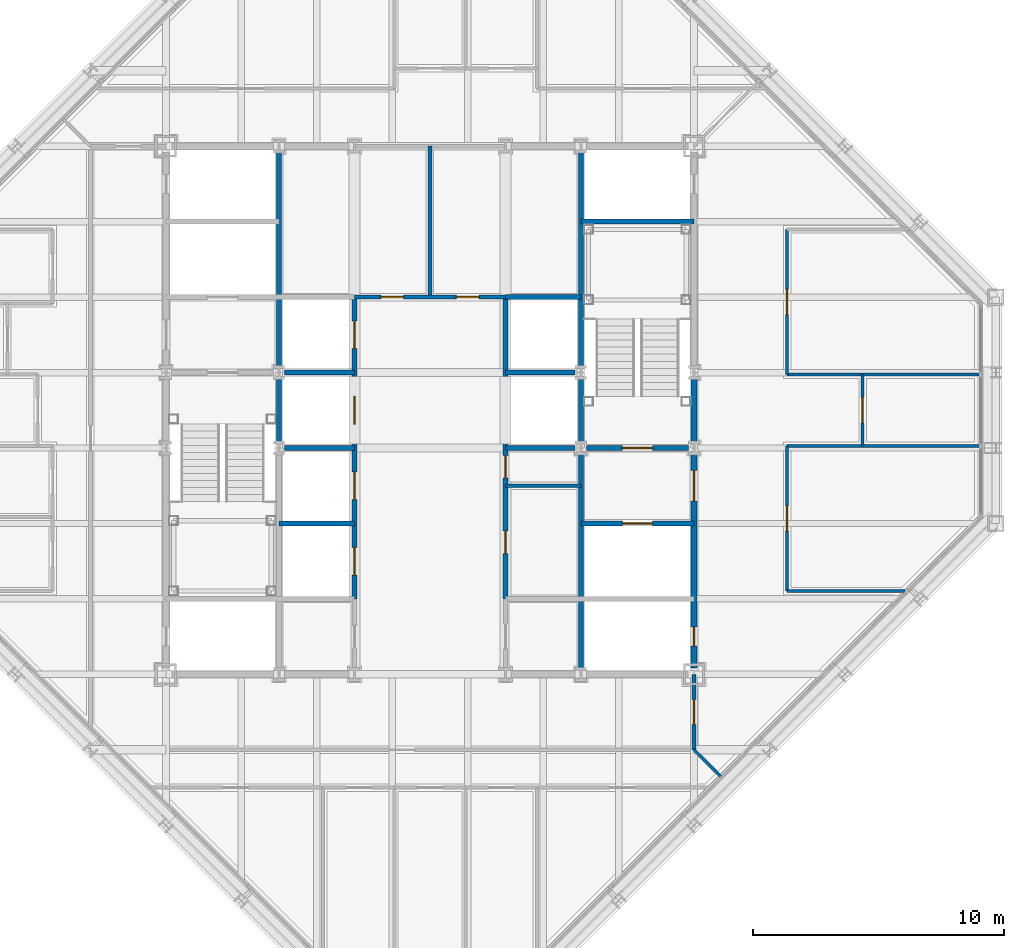
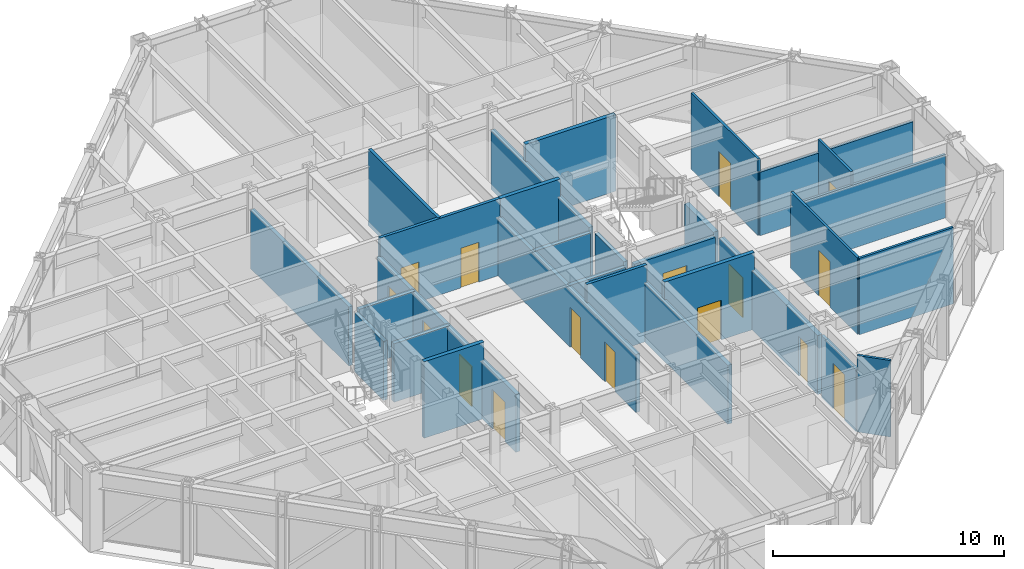
# One storey, part 11 of 15: 29 walls, 16 doors, 16 openings.
"""IFC4 building model written with IfcOpenShell, lengths in metres."""

from ifc_helpers import new_model, si_unit, direction, frame, frame_2d, origin, place, context, subcontext, project, spatial, rectangle, extrude, material, layer, layer_set, type_object, element, fill, save


model = new_model("IFC4")

# Units and contexts
model_context = context("Model", 3, precision=1e-05, world=origin(), true_north=direction((0.0, 1.0)))
body_context = subcontext(model_context, "Body", "Model", "MODEL_VIEW")
ifc_project = project(units=[si_unit("LENGTHUNIT", "METRE"), si_unit("AREAUNIT", "SQUARE_METRE"), si_unit("VOLUMEUNIT", "CUBIC_METRE"), si_unit("PLANEANGLEUNIT", "RADIAN"), si_unit("MASSUNIT", "GRAM", prefix="KILO")], contexts=[model_context])

# Site, building, storey
site_placement = place(None, origin())
site = spatial("IfcSite", under=ifc_project, at=site_placement, CompositionType="ELEMENT")
building_placement = place(site_placement, origin())
building = spatial("IfcBuilding", under=site, at=building_placement, Name="Chuquiago Exchange Tower", CompositionType="ELEMENT")
storey_placement = place(building_placement, frame((0.0, 0.0, 274.800048828125)))
storey = spatial("IfcBuildingStorey", under=building, at=storey_placement, Name="L61", CompositionType="ELEMENT", Elevation=274.800048828125)

# Wall, openings, doors
ifc_material_1 = material(Name="Concrete masonry, fully grouted", Category="masonry")
ifc_layer_1 = layer(ifc_material_1, 0.25)
ifc_layer_set_1 = layer_set([ifc_layer_1], Name="W1 core wall 250")
wall_type_1 = type_object("IfcWallType", Name="W1 core wall 250", PredefinedType="SOLIDWALL", material=ifc_layer_set_1)
wall_1_placement = place(storey_placement, frame((33.0, 12.25, 0.0), z_axis=(0.0, 0.0, 1.0), x_axis=(0.0, 1.0, 0.0)))
wall_1 = element("IfcWall", 1, at=wall_1_placement, inside=storey, type_object=wall_type_1, Name="CW-L61-25-0", PredefinedType="SOLIDWALL", context=body_context, shape_type="SweptSolid", body=[
    extrude(rectangle(XDim=8.5, YDim=0.25, at=frame_2d((4.25, 0.0))), origin(), (0.0, 0.0, 1.0), 3.11279296875),
])
opening_1_placement = place(wall_1_placement, frame((6.64990234375, 0.0, 0.0)))
opening_1 = element("IfcOpeningElement", 2, at=opening_1_placement, cuts=wall_1, Name="Opening L61-004", PredefinedType="OPENING", context=body_context, shape_type="SweptSolid", body=[
    extrude(rectangle(XDim=1.199951171875, YDim=2.10009765625, at=frame_2d((0.60009765625, 1.050048828125))), frame((0.0, 0.135009765625, 0.0), z_axis=(0.0, -1.0, 0.0), x_axis=(1.0, 0.0, 0.0)), (0.0, 0.0, 1.0), 0.27001953125),
])
opening_2_placement = place(wall_1_placement, frame((0.875, 0.0, 0.0)))
opening_2 = element("IfcOpeningElement", 3, at=opening_2_placement, cuts=wall_1, Name="Opening L61-009", PredefinedType="OPENING", context=body_context, shape_type="SweptSolid", body=[
    extrude(rectangle(XDim=0.75, YDim=2.10009765625, at=frame_2d((0.375, 1.050048828125))), frame((0.0, 0.135009765625, 0.0), z_axis=(0.0, -1.0, 0.0), x_axis=(1.0, 0.0, 0.0)), (0.0, 0.0, 1.0), 0.27001953125),
])
ifc_material_2 = material(Name="Steel door, painted", Category="steel")
door_type_1 = type_object("IfcDoorType", Name="D5 firefighting lobby door 1200x2100", OperationType="SINGLE_SWING_LEFT", PredefinedType="DOOR", material=ifc_material_2)
door_1_placement = place(opening_1_placement, origin())
door_1 = element("IfcDoor", 4, at=door_1_placement, inside=storey, type_object=door_type_1, Name="Firefighting lobby 2 door", OperationType="SINGLE_SWING_RIGHT", OverallHeight=2.10009765625, OverallWidth=1.199951171875, PredefinedType="DOOR", context=body_context, shape_type="SweptSolid", body=[
    extrude(rectangle(XDim=1.199951171875, YDim=2.10009765625, at=frame_2d((0.60009765625, 1.050048828125))), frame((0.0, 0.02490234375, 0.0), z_axis=(0.0, -1.0, 0.0), x_axis=(1.0, 0.0, 0.0)), (0.0, 0.0, 1.0), 0.050048828125),
])
fill(opening_1, door_1)
ifc_material_3 = material(Name="Steel door, painted", Category="steel")
door_type_2 = type_object("IfcDoorType", Name="D6 riser access door 750x2100", OperationType="SINGLE_SWING_LEFT", PredefinedType="DOOR", material=ifc_material_3)
door_2_placement = place(opening_2_placement, frame((0.75, 0.0, 0.0), z_axis=(0.0, 0.0, 1.0), x_axis=(-1.0, 0.0, 0.0)))
door_2 = element("IfcDoor", 5, at=door_2_placement, inside=storey, type_object=door_type_2, Name="Riser RE1 door", OperationType="SINGLE_SWING_RIGHT", OverallHeight=2.10009765625, OverallWidth=0.75, PredefinedType="DOOR", context=body_context, shape_type="SweptSolid", body=[
    extrude(rectangle(XDim=0.75, YDim=2.10009765625, at=frame_2d((0.375, 1.050048828125))), frame((0.0, 0.02490234375, 0.0), z_axis=(0.0, -1.0, 0.0), x_axis=(1.0, 0.0, 0.0)), (0.0, 0.0, 1.0), 0.050048828125),
])
fill(opening_2, door_2)

# Wall
wall_2_placement = place(storey_placement, frame((33.0, 21.25, 0.0), z_axis=(0.0, 0.0, 1.0), x_axis=(0.0, 1.0, 0.0)))
element("IfcWall", 6, at=wall_2_placement, inside=storey, type_object=wall_type_1, Name="CW-L61-25-1", PredefinedType="SOLIDWALL", context=body_context, shape_type="SweptSolid", body=[
    extrude(rectangle(XDim=2.5, YDim=0.25, at=frame_2d((1.25, 0.0))), origin(), (0.0, 0.0, 1.0), 3.11279296875),
])

# Wall, opening, door
ifc_material_4 = material(Name="Gypsum board on steel studs, acoustic insulation", Category="steel")
ifc_layer_2 = layer(ifc_material_4, 0.14990234375)
ifc_layer_set_2 = layer_set([ifc_layer_2], Name="W11 corridor wall 150")
wall_type_2 = type_object("IfcWallType", Name="W11 corridor wall 150", PredefinedType="PARTITIONING", material=ifc_layer_set_2)
wall_3_placement = place(storey_placement, frame((33.0, 9.0, 0.0), z_axis=(0.0, 0.0, 1.0), x_axis=(0.0, 1.0, 0.0)))
wall_3 = element("IfcWall", 7, at=wall_3_placement, inside=storey, type_object=wall_type_2, Name="PW-L61-GSE0", PredefinedType="PARTITIONING", context=body_context, shape_type="SweptSolid", body=[
    extrude(rectangle(XDim=3.0, YDim=0.14990234375, at=frame_2d((1.5, 0.0))), origin(), (0.0, 0.0, 1.0), 3.270263671875),
])
opening_3_placement = place(wall_3_placement, frame((1.0, 0.0, 0.0)))
opening_3 = element("IfcOpeningElement", 8, at=opening_3_placement, cuts=wall_3, Name="Opening L61-041", PredefinedType="OPENING", context=body_context, shape_type="SweptSolid", body=[
    extrude(rectangle(XDim=1.0, YDim=2.39990234375, at=frame_2d((0.5, 1.199951171875))), frame((0.0, 0.0849609375, 0.0), z_axis=(0.0, -1.0, 0.0), x_axis=(1.0, 0.0, 0.0)), (0.0, 0.0, 1.0), 0.169921875),
])
ifc_material_5 = material(Name="Timber door, laminate faced", Category="wood")
door_type_3 = type_object("IfcDoorType", Name="D9 room door 1000x2400", OperationType="SINGLE_SWING_LEFT", PredefinedType="DOOR", material=ifc_material_5)
door_3_placement = place(opening_3_placement, frame((1.0, 0.0, 0.0), z_axis=(0.0, 0.0, 1.0), x_axis=(-1.0, 0.0, 0.0)))
door_3 = element("IfcDoor", 9, at=door_3_placement, inside=storey, type_object=door_type_3, Name="Team area door", OperationType="SINGLE_SWING_LEFT", OverallHeight=2.39990234375, OverallWidth=1.0, PredefinedType="DOOR", context=body_context, shape_type="SweptSolid", body=[
    extrude(rectangle(XDim=1.0, YDim=2.39990234375, at=frame_2d((0.5, 1.199951171875))), frame((0.0, 0.02490234375, 0.0), z_axis=(0.0, -1.0, 0.0), x_axis=(1.0, 0.0, 0.0)), (0.0, 0.0, 1.0), 0.050048828125),
])
fill(opening_3, door_3)

# Walls
ifc_material_6 = material(Name="Concrete masonry, fully grouted", Category="masonry")
ifc_layer_3 = layer(ifc_material_6, 0.199951171875)
ifc_layer_set_3 = layer_set([ifc_layer_3], Name="W2 shaft wall 200")
wall_type_3 = type_object("IfcWallType", Name="W2 shaft wall 200", PredefinedType="SOLIDWALL", material=ifc_layer_set_3)
for number, where, z_axis, x_axis, name in (
    (10, (16.724853515625, 24.0, 0.0), (0.0, 0.0, 1.0), (1.0, 0.0, 0.0), "CW-L61-05-1"),
    (11, (25.5, 24.0, 0.0), (0.0, 0.0, 1.0), (1.0, 0.0, 0.0), "CW-L61-06-0"),
):
    element("IfcWall", number, at=place(storey_placement, frame(where, z_axis=z_axis, x_axis=x_axis)), inside=storey, type_object=wall_type_3, Name=name, PredefinedType="SOLIDWALL", context=body_context, shape_type="SweptSolid", body=[
        extrude(rectangle(XDim=2.775146484375, YDim=0.199951171875, at=frame_2d((1.3876953125, 0.0))), origin(), (0.0, 0.0, 1.0), 3.08984375),
    ])
wall_4_placement = place(storey_placement, frame((25.5, 27.0, 0.0), z_axis=(0.0, 0.0, 1.0), x_axis=(1.0, 0.0, 0.0)))
element("IfcWall", 12, at=wall_4_placement, inside=storey, type_object=wall_type_3, Name="CW-L61-08-0", PredefinedType="SOLIDWALL", context=body_context, shape_type="SweptSolid", body=[
    extrude(rectangle(XDim=3.0, YDim=0.199951171875, at=frame_2d((1.5, 0.0))), origin(), (0.0, 0.0, 1.0), 4.0400390625),
])
wall_5_placement = place(storey_placement, frame((28.5, 30.0, 0.0), z_axis=(0.0, 0.0, 1.0), x_axis=(1.0, 0.0, 0.0)))
element("IfcWall", 13, at=wall_5_placement, inside=storey, type_object=wall_type_3, Name="CW-L61-10-0", PredefinedType="SOLIDWALL", context=body_context, shape_type="SweptSolid", body=[
    extrude(rectangle(XDim=4.5, YDim=0.199951171875, at=frame_2d((2.25, 0.0))), origin(), (0.0, 0.0, 1.0), 4.0400390625),
])
wall_6_placement = place(storey_placement, frame((16.5, 21.25, 0.0), z_axis=(0.0, 0.0, 1.0), x_axis=(0.0, 1.0, 0.0)))
element("IfcWall", 14, at=wall_6_placement, inside=storey, type_object=wall_type_3, Name="CW-L61-13-1", PredefinedType="SOLIDWALL", context=body_context, shape_type="SweptSolid", body=[
    extrude(rectangle(XDim=2.5, YDim=0.199951171875, at=frame_2d((1.25, 0.0))), origin(), (0.0, 0.0, 1.0), 3.11279296875),
])
wall_7_placement = place(storey_placement, frame((16.5, 24.25, 0.0), z_axis=(0.0, 0.0, 1.0), x_axis=(0.0, 1.0, 0.0)))
element("IfcWall", 15, at=wall_7_placement, inside=storey, type_object=wall_type_3, Name="CW-L61-13-2", PredefinedType="SOLIDWALL", context=body_context, shape_type="SweptSolid", body=[
    extrude(rectangle(XDim=8.5, YDim=0.199951171875, at=frame_2d((4.25, 0.0))), origin(), (0.0, 0.0, 1.0), 3.11279296875),
])
wall_8_placement = place(storey_placement, frame((16.5, 18.0, 0.0), z_axis=(0.0, 0.0, 1.0), x_axis=(1.0, 0.0, 0.0)))
element("IfcWall", 16, at=wall_8_placement, inside=storey, type_object=wall_type_3, Name="CW-L61-14-0", PredefinedType="SOLIDWALL", context=body_context, shape_type="SweptSolid", body=[
    extrude(rectangle(XDim=3.0, YDim=0.199951171875, at=frame_2d((1.5, 0.0))), origin(), (0.0, 0.0, 1.0), 4.0400390625),
])

# Wall, opening, door
wall_9_placement = place(storey_placement, frame((28.5, 18.0, 0.0), z_axis=(0.0, 0.0, 1.0), x_axis=(1.0, 0.0, 0.0)))
wall_9 = element("IfcWall", 17, at=wall_9_placement, inside=storey, type_object=wall_type_3, Name="CW-L61-15-0", PredefinedType="SOLIDWALL", context=body_context, shape_type="SweptSolid", body=[
    extrude(rectangle(XDim=4.5, YDim=0.199951171875, at=frame_2d((2.25, 0.0))), origin(), (0.0, 0.0, 1.0), 4.0400390625),
])
opening_4_placement = place(wall_9_placement, frame((1.64990234375, 0.0, 0.0)))
opening_4 = element("IfcOpeningElement", 18, at=opening_4_placement, cuts=wall_9, Name="Opening L61-006", PredefinedType="OPENING", context=body_context, shape_type="SweptSolid", body=[
    extrude(rectangle(XDim=1.199951171875, YDim=2.10009765625, at=frame_2d((0.60009765625, 1.050048828125))), frame((0.0, 0.10986328125, 0.0), z_axis=(0.0, -1.0, 0.0), x_axis=(1.0, 0.0, 0.0)), (0.0, 0.0, 1.0), 0.219970703125),
])
ifc_material_7 = material(Name="Stainless steel lift landing door", Category="steel")
door_type_4 = type_object("IfcDoorType", Name="LD2 firefighting lift landing door 1200x2100", OperationType="DOUBLE_DOOR_SLIDING", PredefinedType="DOOR", material=ifc_material_7)
door_4_placement = place(opening_4_placement, origin())
door_4 = element("IfcDoor", 19, at=door_4_placement, inside=storey, type_object=door_type_4, Name="Firefighting lift FL2 landing door", OperationType="DOUBLE_DOOR_SLIDING", OverallHeight=2.10009765625, OverallWidth=1.199951171875, PredefinedType="DOOR", context=body_context, shape_type="SweptSolid", body=[
    extrude(rectangle(XDim=1.199951171875, YDim=2.10009765625, at=frame_2d((0.60009765625, 1.050048828125))), frame((0.0, 0.02490234375, 0.0), z_axis=(0.0, -1.0, 0.0), x_axis=(1.0, 0.0, 0.0)), (0.0, 0.0, 1.0), 0.050048828125),
])
fill(opening_4, door_4)

# Walls
for number, where, z_axis, x_axis, name in (
    (20, (16.724853515625, 21.0, 0.0), (0.0, 0.0, 1.0), (1.0, 0.0, 0.0), "CW-L61-16-0"),
    (21, (25.5, 21.0, 0.0), (0.0, 0.0, 1.0), (1.0, 0.0, 0.0), "CW-L61-17-0"),
):
    element("IfcWall", number, at=place(storey_placement, frame(where, z_axis=z_axis, x_axis=x_axis)), inside=storey, type_object=wall_type_3, Name=name, PredefinedType="SOLIDWALL", context=body_context, shape_type="SweptSolid", body=[
        extrude(rectangle(XDim=2.775146484375, YDim=0.199951171875, at=frame_2d((1.3876953125, 0.0))), origin(), (0.0, 0.0, 1.0), 3.08984375),
    ])

# Wall, opening, door
wall_10_placement = place(storey_placement, frame((28.724853515625, 21.0, 0.0), z_axis=(0.0, 0.0, 1.0), x_axis=(1.0, 0.0, 0.0)))
wall_10 = element("IfcWall", 22, at=wall_10_placement, inside=storey, type_object=wall_type_3, Name="CW-L61-17-1", PredefinedType="SOLIDWALL", context=body_context, shape_type="SweptSolid", body=[
    extrude(rectangle(XDim=4.05029296875, YDim=0.199951171875, at=frame_2d((2.025146484375, 0.0))), origin(), (0.0, 0.0, 1.0), 3.08984375),
])
opening_5_placement = place(wall_10_placement, frame((1.42529296875, 0.0, 0.0)))
opening_5 = element("IfcOpeningElement", 23, at=opening_5_placement, cuts=wall_10, Name="Opening L61-003", PredefinedType="OPENING", context=body_context, shape_type="SweptSolid", body=[
    extrude(rectangle(XDim=1.199951171875, YDim=2.10009765625, at=frame_2d((0.60009765625, 1.050048828125))), frame((0.0, 0.10986328125, 0.0), z_axis=(0.0, -1.0, 0.0), x_axis=(1.0, 0.0, 0.0)), (0.0, 0.0, 1.0), 0.219970703125),
])
ifc_material_8 = material(Name="Steel door, painted", Category="steel")
door_type_5 = type_object("IfcDoorType", Name="D4 stair door 1200x2100", OperationType="SINGLE_SWING_LEFT", PredefinedType="DOOR", material=ifc_material_8)
door_5_placement = place(opening_5_placement, origin())
door_5 = element("IfcDoor", 24, at=door_5_placement, inside=storey, type_object=door_type_5, Name="Stair ST2 door", OperationType="SINGLE_SWING_RIGHT", OverallHeight=2.10009765625, OverallWidth=1.199951171875, PredefinedType="DOOR", context=body_context, shape_type="SweptSolid", body=[
    extrude(rectangle(XDim=1.199951171875, YDim=2.10009765625, at=frame_2d((0.60009765625, 1.050048828125))), frame((0.0, 0.02490234375, 0.0), z_axis=(0.0, -1.0, 0.0), x_axis=(1.0, 0.0, 0.0)), (0.0, 0.0, 1.0), 0.050048828125),
])
fill(opening_5, door_5)

# Wall, openings, doors
wall_11_placement = place(storey_placement, frame((19.5, 15.0, 0.0), z_axis=(0.0, 0.0, 1.0), x_axis=(0.0, 1.0, 0.0)))
wall_11 = element("IfcWall", 25, at=wall_11_placement, inside=storey, type_object=wall_type_3, Name="CW-L61-19-0", PredefinedType="SOLIDWALL", context=body_context, shape_type="SweptSolid", body=[
    extrude(rectangle(XDim=12.0, YDim=0.199951171875, at=frame_2d((6.0, 0.0))), origin(), (0.0, 0.0, 1.0), 3.064453125),
])
opening_6_placement = place(wall_11_placement, frame((0.949951171875, 0.0, 0.0)))
opening_6 = element("IfcOpeningElement", 26, at=opening_6_placement, cuts=wall_11, Name="Opening L61-017", PredefinedType="OPENING", context=body_context, shape_type="SweptSolid", body=[
    extrude(rectangle(XDim=1.10009765625, YDim=2.10009765625, at=frame_2d((0.550048828125, 1.050048828125))), frame((0.0, 0.10986328125, 0.0), z_axis=(0.0, -1.0, 0.0), x_axis=(1.0, 0.0, 0.0)), (0.0, 0.0, 1.0), 0.219970703125),
])
opening_7_placement = place(wall_11_placement, frame((3.949951171875, 0.0, 0.0)))
opening_7 = element("IfcOpeningElement", 27, at=opening_7_placement, cuts=wall_11, Name="Opening L61-018", PredefinedType="OPENING", context=body_context, shape_type="SweptSolid", body=[
    extrude(rectangle(XDim=1.10009765625, YDim=2.10009765625, at=frame_2d((0.550048828125, 1.050048828125))), frame((0.0, 0.10986328125, 0.0), z_axis=(0.0, -1.0, 0.0), x_axis=(1.0, 0.0, 0.0)), (0.0, 0.0, 1.0), 0.219970703125),
])
opening_8_placement = place(wall_11_placement, frame((6.949951171875, 0.0, 0.0)))
opening_8 = element("IfcOpeningElement", 28, at=opening_8_placement, cuts=wall_11, Name="Opening L61-019", PredefinedType="OPENING", context=body_context, shape_type="SweptSolid", body=[
    extrude(rectangle(XDim=1.10009765625, YDim=2.10009765625, at=frame_2d((0.550048828125, 1.050048828125))), frame((0.0, 0.10986328125, 0.0), z_axis=(0.0, -1.0, 0.0), x_axis=(1.0, 0.0, 0.0)), (0.0, 0.0, 1.0), 0.219970703125),
])
opening_9_placement = place(wall_11_placement, frame((9.949951171875, 0.0, 0.0)))
opening_9 = element("IfcOpeningElement", 29, at=opening_9_placement, cuts=wall_11, Name="Opening L61-020", PredefinedType="OPENING", context=body_context, shape_type="SweptSolid", body=[
    extrude(rectangle(XDim=1.10009765625, YDim=2.10009765625, at=frame_2d((0.550048828125, 1.050048828125))), frame((0.0, 0.10986328125, 0.0), z_axis=(0.0, -1.0, 0.0), x_axis=(1.0, 0.0, 0.0)), (0.0, 0.0, 1.0), 0.219970703125),
])
ifc_material_9 = material(Name="Stainless steel lift landing door", Category="steel")
door_type_6 = type_object("IfcDoorType", Name="LD1 lift landing door 1100x2100", OperationType="DOUBLE_DOOR_SLIDING", PredefinedType="DOOR", material=ifc_material_9)
door_6_placement = place(opening_6_placement, origin())
door_6 = element("IfcDoor", 30, at=door_6_placement, inside=storey, type_object=door_type_6, Name="Lift LD1 landing door", OperationType="DOUBLE_DOOR_SLIDING", OverallHeight=2.10009765625, OverallWidth=1.10009765625, PredefinedType="DOOR", context=body_context, shape_type="SweptSolid", body=[
    extrude(rectangle(XDim=1.10009765625, YDim=2.10009765625, at=frame_2d((0.550048828125, 1.050048828125))), frame((0.0, 0.02490234375, 0.0), z_axis=(0.0, -1.0, 0.0), x_axis=(1.0, 0.0, 0.0)), (0.0, 0.0, 1.0), 0.050048828125),
])
fill(opening_6, door_6)
door_7_placement = place(opening_7_placement, origin())
door_7 = element("IfcDoor", 31, at=door_7_placement, inside=storey, type_object=door_type_6, Name="Lift LD2 landing door", OperationType="DOUBLE_DOOR_SLIDING", OverallHeight=2.10009765625, OverallWidth=1.10009765625, PredefinedType="DOOR", context=body_context, shape_type="SweptSolid", body=[
    extrude(rectangle(XDim=1.10009765625, YDim=2.10009765625, at=frame_2d((0.550048828125, 1.050048828125))), frame((0.0, 0.02490234375, 0.0), z_axis=(0.0, -1.0, 0.0), x_axis=(1.0, 0.0, 0.0)), (0.0, 0.0, 1.0), 0.050048828125),
])
fill(opening_7, door_7)
door_8_placement = place(opening_8_placement, origin())
door_8 = element("IfcDoor", 32, at=door_8_placement, inside=storey, type_object=door_type_6, Name="Lift LD3 landing door", OperationType="DOUBLE_DOOR_SLIDING", OverallHeight=2.10009765625, OverallWidth=1.10009765625, PredefinedType="DOOR", context=body_context, shape_type="SweptSolid", body=[
    extrude(rectangle(XDim=1.10009765625, YDim=2.10009765625, at=frame_2d((0.550048828125, 1.050048828125))), frame((0.0, 0.02490234375, 0.0), z_axis=(0.0, -1.0, 0.0), x_axis=(1.0, 0.0, 0.0)), (0.0, 0.0, 1.0), 0.050048828125),
])
fill(opening_8, door_8)
door_9_placement = place(opening_9_placement, origin())
door_9 = element("IfcDoor", 33, at=door_9_placement, inside=storey, type_object=door_type_6, Name="Lift LD4 landing door", OperationType="DOUBLE_DOOR_SLIDING", OverallHeight=2.10009765625, OverallWidth=1.10009765625, PredefinedType="DOOR", context=body_context, shape_type="SweptSolid", body=[
    extrude(rectangle(XDim=1.10009765625, YDim=2.10009765625, at=frame_2d((0.550048828125, 1.050048828125))), frame((0.0, 0.02490234375, 0.0), z_axis=(0.0, -1.0, 0.0), x_axis=(1.0, 0.0, 0.0)), (0.0, 0.0, 1.0), 0.050048828125),
])
fill(opening_9, door_9)

wall_12_placement = place(storey_placement, frame((25.5, 15.0, 0.0), z_axis=(0.0, 0.0, 1.0), x_axis=(0.0, 1.0, 0.0)))
wall_12 = element("IfcWall", 34, at=wall_12_placement, inside=storey, type_object=wall_type_3, Name="CW-L61-22-0", PredefinedType="SOLIDWALL", context=body_context, shape_type="SweptSolid", body=[
    extrude(rectangle(XDim=12.0, YDim=0.199951171875, at=frame_2d((6.0, 0.0))), origin(), (0.0, 0.0, 1.0), 3.064453125),
])
opening_10_placement = place(wall_12_placement, frame((1.800048828125, 0.0, 0.0)))
opening_10 = element("IfcOpeningElement", 35, at=opening_10_placement, cuts=wall_12, Name="Opening L61-014", PredefinedType="OPENING", context=body_context, shape_type="SweptSolid", body=[
    extrude(rectangle(XDim=0.89990234375, YDim=2.10009765625, at=frame_2d((0.449951171875, 1.050048828125))), frame((0.0, 0.10986328125, 0.0), z_axis=(0.0, -1.0, 0.0), x_axis=(1.0, 0.0, 0.0)), (0.0, 0.0, 1.0), 0.219970703125),
])
opening_11_placement = place(wall_12_placement, frame((4.800048828125, 0.0, 0.0)))
opening_11 = element("IfcOpeningElement", 36, at=opening_11_placement, cuts=wall_12, Name="Opening L61-015", PredefinedType="OPENING", context=body_context, shape_type="SweptSolid", body=[
    extrude(rectangle(XDim=0.89990234375, YDim=2.10009765625, at=frame_2d((0.449951171875, 1.050048828125))), frame((0.0, 0.10986328125, 0.0), z_axis=(0.0, -1.0, 0.0), x_axis=(1.0, 0.0, 0.0)), (0.0, 0.0, 1.0), 0.219970703125),
])
ifc_material_10 = material(Name="Timber door, laminate faced", Category="wood")
door_type_7 = type_object("IfcDoorType", Name="D16 core room door 900x2100", OperationType="SINGLE_SWING_LEFT", PredefinedType="DOOR", material=ifc_material_10)
door_10_placement = place(opening_10_placement, frame((0.89990234375, 0.0, 0.0), z_axis=(0.0, 0.0, 1.0), x_axis=(-1.0, 0.0, 0.0)))
door_10 = element("IfcDoor", 37, at=door_10_placement, inside=storey, type_object=door_type_7, Name="Catering store door", OperationType="SINGLE_SWING_RIGHT", OverallHeight=2.10009765625, OverallWidth=0.89990234375, PredefinedType="DOOR", context=body_context, shape_type="SweptSolid", body=[
    extrude(rectangle(XDim=0.89990234375, YDim=2.10009765625, at=frame_2d((0.449951171875, 1.050048828125))), frame((0.0, 0.02490234375, 0.0), z_axis=(0.0, -1.0, 0.0), x_axis=(1.0, 0.0, 0.0)), (0.0, 0.0, 1.0), 0.050048828125),
])
fill(opening_10, door_10)
door_11_placement = place(opening_11_placement, frame((0.89990234375, 0.0, 0.0), z_axis=(0.0, 0.0, 1.0), x_axis=(-1.0, 0.0, 0.0)))
door_11 = element("IfcDoor", 38, at=door_11_placement, inside=storey, type_object=door_type_7, Name="Servery door", OperationType="SINGLE_SWING_LEFT", OverallHeight=2.10009765625, OverallWidth=0.89990234375, PredefinedType="DOOR", context=body_context, shape_type="SweptSolid", body=[
    extrude(rectangle(XDim=0.89990234375, YDim=2.10009765625, at=frame_2d((0.449951171875, 1.050048828125))), frame((0.0, 0.02490234375, 0.0), z_axis=(0.0, -1.0, 0.0), x_axis=(1.0, 0.0, 0.0)), (0.0, 0.0, 1.0), 0.050048828125),
])
fill(opening_11, door_11)

# Walls
wall_13_placement = place(storey_placement, frame((28.5, 12.25, 0.0), z_axis=(0.0, 0.0, 1.0), x_axis=(0.0, 1.0, 0.0)))
element("IfcWall", 39, at=wall_13_placement, inside=storey, type_object=wall_type_3, Name="CW-L61-24-0", PredefinedType="SOLIDWALL", context=body_context, shape_type="SweptSolid", body=[
    extrude(rectangle(XDim=8.5, YDim=0.199951171875, at=frame_2d((4.25, 0.0))), origin(), (0.0, 0.0, 1.0), 3.11279296875),
])
wall_14_placement = place(storey_placement, frame((28.5, 21.25, 0.0), z_axis=(0.0, 0.0, 1.0), x_axis=(0.0, 1.0, 0.0)))
element("IfcWall", 40, at=wall_14_placement, inside=storey, type_object=wall_type_3, Name="CW-L61-24-1", PredefinedType="SOLIDWALL", context=body_context, shape_type="SweptSolid", body=[
    extrude(rectangle(XDim=2.5, YDim=0.199951171875, at=frame_2d((1.25, 0.0))), origin(), (0.0, 0.0, 1.0), 3.11279296875),
])
wall_15_placement = place(storey_placement, frame((28.5, 24.25, 0.0), z_axis=(0.0, 0.0, 1.0), x_axis=(0.0, 1.0, 0.0)))
element("IfcWall", 41, at=wall_15_placement, inside=storey, type_object=wall_type_3, Name="CW-L61-24-2", PredefinedType="SOLIDWALL", context=body_context, shape_type="SweptSolid", body=[
    extrude(rectangle(XDim=8.5, YDim=0.199951171875, at=frame_2d((4.25, 0.0))), origin(), (0.0, 0.0, 1.0), 3.11279296875),
])

# Wall, openings, doors
ifc_material_11 = material(Name="Gypsum board on steel studs", Category="steel")
ifc_layer_4 = layer(ifc_material_11, 0.14990234375)
ifc_layer_set_4 = layer_set([ifc_layer_4], Name="W3 core partition 150")
wall_type_4 = type_object("IfcWallType", Name="W3 core partition 150", PredefinedType="PARTITIONING", material=ifc_layer_set_4)
wall_16_placement = place(storey_placement, frame((19.5, 27.0, 0.0), z_axis=(0.0, 0.0, 1.0), x_axis=(1.0, 0.0, 0.0)))
wall_16 = element("IfcWall", 42, at=wall_16_placement, inside=storey, type_object=wall_type_4, Name="CW-L61-TF", PredefinedType="PARTITIONING", context=body_context, shape_type="SweptSolid", body=[
    extrude(rectangle(XDim=6.0, YDim=0.14990234375, at=frame_2d((3.0, 0.0))), origin(), (0.0, 0.0, 1.0), 4.0400390625),
])
opening_12_placement = place(wall_16_placement, frame((1.050048828125, 0.0, 0.0)))
opening_12 = element("IfcOpeningElement", 43, at=opening_12_placement, cuts=wall_16, Name="Opening L61-011", PredefinedType="OPENING", context=body_context, shape_type="SweptSolid", body=[
    extrude(rectangle(XDim=0.89990234375, YDim=2.10009765625, at=frame_2d((0.449951171875, 1.050048828125))), frame((0.0, 0.0849609375, 0.0), z_axis=(0.0, -1.0, 0.0), x_axis=(1.0, 0.0, 0.0)), (0.0, 0.0, 1.0), 0.169921875),
])
opening_13_placement = place(wall_16_placement, frame((4.050048828125, 0.0, 0.0)))
opening_13 = element("IfcOpeningElement", 44, at=opening_13_placement, cuts=wall_16, Name="Opening L61-012", PredefinedType="OPENING", context=body_context, shape_type="SweptSolid", body=[
    extrude(rectangle(XDim=0.89990234375, YDim=2.10009765625, at=frame_2d((0.449951171875, 1.050048828125))), frame((0.0, 0.0849609375, 0.0), z_axis=(0.0, -1.0, 0.0), x_axis=(1.0, 0.0, 0.0)), (0.0, 0.0, 1.0), 0.169921875),
])
ifc_material_12 = material(Name="Timber door, laminate faced", Category="wood")
door_type_8 = type_object("IfcDoorType", Name="D7 toilet door 900x2100", OperationType="SINGLE_SWING_LEFT", PredefinedType="DOOR", material=ifc_material_12)
door_12_placement = place(opening_12_placement, origin())
door_12 = element("IfcDoor", 45, at=door_12_placement, inside=storey, type_object=door_type_8, Name="Male WC door", OperationType="SINGLE_SWING_RIGHT", OverallHeight=2.10009765625, OverallWidth=0.89990234375, PredefinedType="DOOR", context=body_context, shape_type="SweptSolid", body=[
    extrude(rectangle(XDim=0.89990234375, YDim=2.10009765625, at=frame_2d((0.449951171875, 1.050048828125))), frame((0.0, 0.02490234375, 0.0), z_axis=(0.0, -1.0, 0.0), x_axis=(1.0, 0.0, 0.0)), (0.0, 0.0, 1.0), 0.050048828125),
])
fill(opening_12, door_12)
door_13_placement = place(opening_13_placement, origin())
door_13 = element("IfcDoor", 46, at=door_13_placement, inside=storey, type_object=door_type_8, Name="Female WC door", OperationType="SINGLE_SWING_LEFT", OverallHeight=2.10009765625, OverallWidth=0.89990234375, PredefinedType="DOOR", context=body_context, shape_type="SweptSolid", body=[
    extrude(rectangle(XDim=0.89990234375, YDim=2.10009765625, at=frame_2d((0.449951171875, 1.050048828125))), frame((0.0, 0.02490234375, 0.0), z_axis=(0.0, -1.0, 0.0), x_axis=(1.0, 0.0, 0.0)), (0.0, 0.0, 1.0), 0.050048828125),
])
fill(opening_13, door_13)

# Walls
wall_17_placement = place(storey_placement, frame((22.5, 27.0, 0.0), z_axis=(0.0, 0.0, 1.0), x_axis=(0.0, 1.0, 0.0)))
element("IfcWall", 47, at=wall_17_placement, inside=storey, type_object=wall_type_4, Name="CW-L61-TM", PredefinedType="PARTITIONING", context=body_context, shape_type="SweptSolid", body=[
    extrude(rectangle(XDim=6.0, YDim=0.14990234375, at=frame_2d((3.0, 0.0))), origin(), (0.0, 0.0, 1.0), 4.0400390625),
])
wall_18_placement = place(storey_placement, frame((25.5, 19.5, 0.0), z_axis=(0.0, 0.0, 1.0), x_axis=(1.0, 0.0, 0.0)))
element("IfcWall", 48, at=wall_18_placement, inside=storey, type_object=wall_type_4, Name="CW-L61-EBR1-N", PredefinedType="PARTITIONING", context=body_context, shape_type="SweptSolid", body=[
    extrude(rectangle(XDim=3.0, YDim=0.14990234375, at=frame_2d((1.5, 0.0))), origin(), (0.0, 0.0, 1.0), 4.0400390625),
])
ifc_material_13 = material(Name="Gypsum board on steel studs", Category="steel")
ifc_layer_5 = layer(ifc_material_13, 0.1201171875)
ifc_layer_set_5 = layer_set([ifc_layer_5], Name="W4 partition 120")
wall_type_5 = type_object("IfcWallType", Name="W4 partition 120", PredefinedType="PARTITIONING", material=ifc_layer_set_5)
wall_19_placement = place(storey_placement, frame((41.392578125, 15.30712890625, 0.0), z_axis=(0.0, 0.0, 1.0), x_axis=(-1.0, 0.0, 0.0)))
element("IfcWall", 49, at=wall_19_placement, inside=storey, type_object=wall_type_5, Name="PW-L61-E01531", PredefinedType="PARTITIONING", context=body_context, shape_type="SweptSolid", body=[
    extrude(rectangle(XDim=4.692626953125, YDim=0.1201171875, at=frame_2d((2.34619140625, 0.0))), origin(), (0.0, 0.0, 1.0), 4.0400390625),
])
for number, where, z_axis, x_axis, name in (
    (50, (44.347412109375, 21.082763671875, 0.0), (0.0, 0.0, 1.0), (-1.0, 0.0, 0.0), "PW-L61-E02108"),
    (51, (44.347412109375, 23.917236328125, 0.0), (0.0, 0.0, 1.0), (-1.0, 0.0, 0.0), "PW-L61-E02392"),
):
    element("IfcWall", number, at=place(storey_placement, frame(where, z_axis=z_axis, x_axis=x_axis)), inside=storey, type_object=wall_type_5, Name=name, PredefinedType="PARTITIONING", context=body_context, shape_type="SweptSolid", body=[
        extrude(rectangle(XDim=7.6474609375, YDim=0.1201171875, at=frame_2d((3.82373046875, 0.0))), origin(), (0.0, 0.0, 1.0), 3.356689453125),
    ])

# Wall, opening, door
wall_20_placement = place(storey_placement, frame((36.699951171875, 15.30712890625, 0.0), z_axis=(0.0, 0.0, 1.0), x_axis=(0.0, 1.0, 0.0)))
wall_20 = element("IfcWall", 52, at=wall_20_placement, inside=storey, type_object=wall_type_5, Name="PW-L61-EF01531", PredefinedType="PARTITIONING", context=body_context, shape_type="SweptSolid", body=[
    extrude(rectangle(XDim=5.775634765625, YDim=0.1201171875, at=frame_2d((2.8876953125, 0.0))), origin(), (0.0, 0.0, 1.0), 4.0400390625),
])
opening_14_placement = place(wall_20_placement, frame((2.3876953125, 0.0, 0.0)))
opening_14 = element("IfcOpeningElement", 53, at=opening_14_placement, cuts=wall_20, Name="Opening L61-026", PredefinedType="OPENING", context=body_context, shape_type="SweptSolid", body=[
    extrude(rectangle(XDim=1.0, YDim=2.39990234375, at=frame_2d((0.5, 1.199951171875))), frame((0.0, 0.070068359375, 0.0), z_axis=(0.0, -1.0, 0.0), x_axis=(1.0, 0.0, 0.0)), (0.0, 0.0, 1.0), 0.14013671875),
])
ifc_material_14 = material(Name="Timber frame door, full height glazed panel", Category="wood")
door_type_9 = type_object("IfcDoorType", Name="D14 glazed meeting room door 1000x2400", OperationType="SINGLE_SWING_LEFT", PredefinedType="DOOR", material=ifc_material_14)
door_14_placement = place(opening_14_placement, frame((1.0, 0.0, 0.0), z_axis=(0.0, 0.0, 1.0), x_axis=(-1.0, 0.0, 0.0)))
door_14 = element("IfcDoor", 54, at=door_14_placement, inside=storey, type_object=door_type_9, Name="Meeting room door", OperationType="SINGLE_SWING_RIGHT", OverallHeight=2.39990234375, OverallWidth=1.0, PredefinedType="DOOR", context=body_context, shape_type="SweptSolid", body=[
    extrude(rectangle(XDim=1.0, YDim=2.39990234375, at=frame_2d((0.5, 1.199951171875))), frame((0.0, 0.02490234375, 0.0), z_axis=(0.0, -1.0, 0.0), x_axis=(1.0, 0.0, 0.0)), (0.0, 0.0, 1.0), 0.050048828125),
])
fill(opening_14, door_14)

wall_21_placement = place(storey_placement, frame((39.699951171875, 21.082763671875, 0.0), z_axis=(0.0, 0.0, 1.0), x_axis=(0.0, 1.0, 0.0)))
wall_21 = element("IfcWall", 55, at=wall_21_placement, inside=storey, type_object=wall_type_5, Name="PW-L61-EF02108", PredefinedType="PARTITIONING", context=body_context, shape_type="SweptSolid", body=[
    extrude(rectangle(XDim=2.83447265625, YDim=0.1201171875, at=frame_2d((1.417236328125, 0.0))), origin(), (0.0, 0.0, 1.0), 4.0400390625),
])
opening_15_placement = place(wall_21_placement, frame((0.917236328125, 0.0, 0.0)))
opening_15 = element("IfcOpeningElement", 56, at=opening_15_placement, cuts=wall_21, Name="Opening L61-027", PredefinedType="OPENING", context=body_context, shape_type="SweptSolid", body=[
    extrude(rectangle(XDim=1.0, YDim=2.39990234375, at=frame_2d((0.5, 1.199951171875))), frame((0.0, 0.070068359375, 0.0), z_axis=(0.0, -1.0, 0.0), x_axis=(1.0, 0.0, 0.0)), (0.0, 0.0, 1.0), 0.14013671875),
])
door_15_placement = place(opening_15_placement, frame((1.0, 0.0, 0.0), z_axis=(0.0, 0.0, 1.0), x_axis=(-1.0, 0.0, 0.0)))
door_15 = element("IfcDoor", 57, at=door_15_placement, inside=storey, type_object=door_type_3, Name="Store door", OperationType="SINGLE_SWING_RIGHT", OverallHeight=2.39990234375, OverallWidth=1.0, PredefinedType="DOOR", context=body_context, shape_type="SweptSolid", body=[
    extrude(rectangle(XDim=1.0, YDim=2.39990234375, at=frame_2d((0.5, 1.199951171875))), frame((0.0, 0.02490234375, 0.0), z_axis=(0.0, -1.0, 0.0), x_axis=(1.0, 0.0, 0.0)), (0.0, 0.0, 1.0), 0.050048828125),
])
fill(opening_15, door_15)

wall_22_placement = place(storey_placement, frame((36.699951171875, 23.917236328125, 0.0), z_axis=(0.0, 0.0, 1.0), x_axis=(0.0, 1.0, 0.0)))
wall_22 = element("IfcWall", 58, at=wall_22_placement, inside=storey, type_object=wall_type_5, Name="PW-L61-EF02392", PredefinedType="PARTITIONING", context=body_context, shape_type="SweptSolid", body=[
    extrude(rectangle(XDim=5.775634765625, YDim=0.1201171875, at=frame_2d((2.8876953125, 0.0))), origin(), (0.0, 0.0, 1.0), 4.0400390625),
])
opening_16_placement = place(wall_22_placement, frame((2.387939453125, 0.0, 0.0)))
opening_16 = element("IfcOpeningElement", 59, at=opening_16_placement, cuts=wall_22, Name="Opening L61-028", PredefinedType="OPENING", context=body_context, shape_type="SweptSolid", body=[
    extrude(rectangle(XDim=1.0, YDim=2.39990234375, at=frame_2d((0.5, 1.199951171875))), frame((0.0, 0.070068359375, 0.0), z_axis=(0.0, -1.0, 0.0), x_axis=(1.0, 0.0, 0.0)), (0.0, 0.0, 1.0), 0.14013671875),
])
door_16_placement = place(opening_16_placement, frame((1.0, 0.0, 0.0), z_axis=(0.0, 0.0, 1.0), x_axis=(-1.0, 0.0, 0.0)))
door_16 = element("IfcDoor", 60, at=door_16_placement, inside=storey, type_object=door_type_9, Name="Meeting room door", OperationType="SINGLE_SWING_LEFT", OverallHeight=2.39990234375, OverallWidth=1.0, PredefinedType="DOOR", context=body_context, shape_type="SweptSolid", body=[
    extrude(rectangle(XDim=1.0, YDim=2.39990234375, at=frame_2d((0.5, 1.199951171875))), frame((0.0, 0.02490234375, 0.0), z_axis=(0.0, -1.0, 0.0), x_axis=(1.0, 0.0, 0.0)), (0.0, 0.0, 1.0), 0.050048828125),
])
fill(opening_16, door_16)

# Wall
wall_23_placement = place(storey_placement, frame((33.0, 9.0, 0.0), z_axis=(0.0, 0.0, 1.0), x_axis=(0.707106781187, -0.707106781187, 0.0)))
element("IfcWall", 61, at=wall_23_placement, inside=storey, type_object=wall_type_5, Name="PW-L61-QSE", PredefinedType="PARTITIONING", context=body_context, shape_type="SweptSolid", body=[
    extrude(rectangle(XDim=1.4892578125, YDim=0.1201171875, at=frame_2d((0.74462890625, 0.0))), origin(), (0.0, 0.0, 1.0), 4.0400390625),
])

save(model, "model.ifc")
